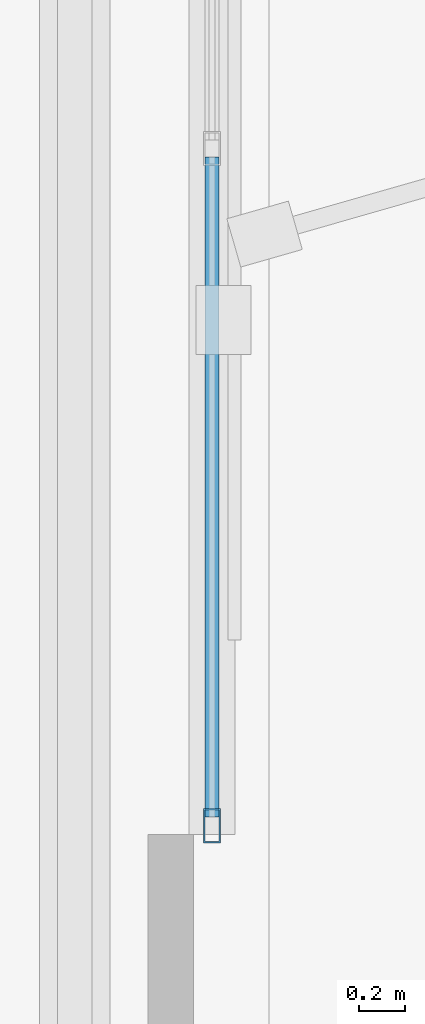
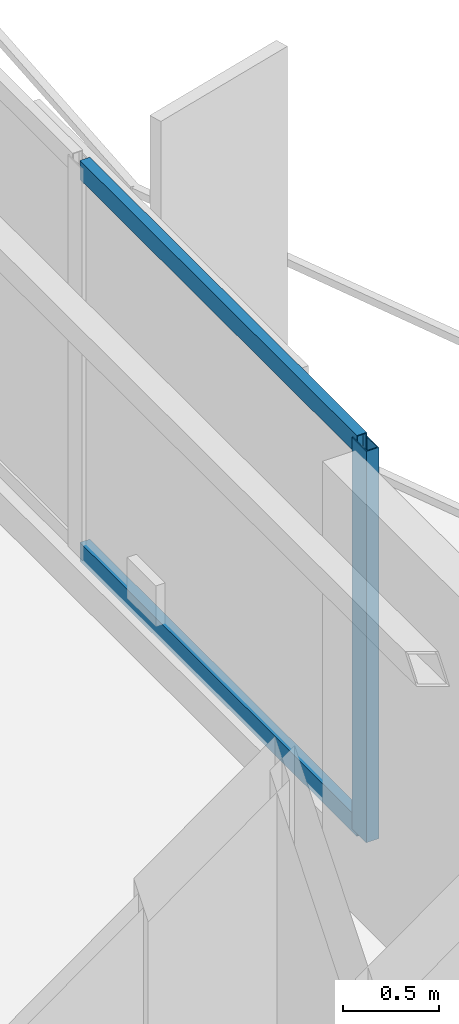
# One storey, part 6 of 22: 3 members, 1 element without a shape of its own.
"""IFC4 building model written with IfcOpenShell, lengths in metres."""

import ifcopenshell
import ifcopenshell.guid

model = None  # the IFC model being written
_history = None  # IfcOwnerHistory: only IFC2X3 demands one
_inside = {}  # id of a spatial element -> (the spatial element, [elements in it])
_under = {}  # id of a project, library or spatial element -> (it, [spatial elements below it])
_declared = {}  # id of a project -> (the project, [libraries it declares])
_typed = {}  # id of a type object -> (the type object, [elements of that type])
_made_of = {}  # id of a material, layer set ... -> (it, [elements and type objects made of it])


def new_model(schema):
    """Start an empty IFC model of exactly this schema.

    Asked for "IFC4X3", IfcOpenShell would pick the latest addendum, in which some entities
    have other attributes; the version numbers below select the first issue.
    IFC2X3 requires an IfcOwnerHistory on every rooted entity: one is made here for all.
    """
    global model, _history
    if schema == "IFC4X3":
        model = ifcopenshell.file(schema_version=(4, 3, 0, 0))
    else:
        model = ifcopenshell.file(schema=schema)
    _inside.clear()
    _under.clear()
    _declared.clear()
    _typed.clear()
    _made_of.clear()
    _history = None
    if model.schema == "IFC2X3":
        org = make("IfcOrganization", Name="unknown")
        user = make(
            "IfcPersonAndOrganization",
            ThePerson=make("IfcPerson", FamilyName="unknown"),
            TheOrganization=org,
        )
        app = make(
            "IfcApplication",
            ApplicationDeveloper=org,
            Version="unknown",
            ApplicationFullName="unknown",
            ApplicationIdentifier="unknown",
        )
        _history = make(
            "IfcOwnerHistory",
            OwningUser=user,
            OwningApplication=app,
            ChangeAction="ADDED",
            CreationDate=0,
        )
    return model


def make(cls, **values):
    """One entity of the class cls with the attributes given. An attribute that is None is left unset."""
    return model.create_entity(
        cls, **{name: value for name, value in values.items() if value is not None}
    )


def rooted(cls, **values):
    """An entity with a GlobalId (a new one), such as an element, a storey or a relation."""
    return make(cls, GlobalId=ifcopenshell.guid.new(), OwnerHistory=_history, **values)


def si_unit(unit_type, name, prefix=None):
    """IfcSIUnit, for example si_unit("LENGTHUNIT", "METRE", prefix="MILLI")."""
    return make("IfcSIUnit", UnitType=unit_type, Prefix=prefix, Name=name)


def assignment(units):
    """IfcUnitAssignment: the units of a project."""
    return None if units is None else make("IfcUnitAssignment", Units=units)


def point(xyz):
    """IfcCartesianPoint."""
    return None if xyz is None else make("IfcCartesianPoint", Coordinates=xyz)


def direction(xyz):
    """IfcDirection."""
    return None if xyz is None else make("IfcDirection", DirectionRatios=xyz)


def frame(location, z_axis=None, x_axis=None):
    """IfcAxis2Placement3D, a coordinate frame: its origin and axes. An axis left out is left unset."""
    return make(
        "IfcAxis2Placement3D",
        Location=point(location),
        Axis=direction(z_axis),
        RefDirection=direction(x_axis),
    )


def frame_2d(location, x_axis=None):
    """IfcAxis2Placement2D, a coordinate frame in the plane: its origin and x axis."""
    return make(
        "IfcAxis2Placement2D", Location=point(location), RefDirection=direction(x_axis)
    )


def origin():
    """The frame at (0, 0, 0) with its axes left unset."""
    return frame((0.0, 0.0, 0.0))


def origin_2d():
    """The frame at (0, 0) in the plane with its x axis left unset."""
    return frame_2d((0.0, 0.0))


def place(relative_to, where):
    """IfcLocalPlacement: puts the frame where relative to a parent placement (None: the world)."""
    return make(
        "IfcLocalPlacement", PlacementRelTo=relative_to, RelativePlacement=where
    )


def context(
    kind, dimensions, precision=None, world=None, true_north=None, identifier=None
):
    """IfcGeometricRepresentationContext, for example the 3D "Model" context."""
    return make(
        "IfcGeometricRepresentationContext",
        ContextIdentifier=identifier,
        ContextType=kind,
        CoordinateSpaceDimension=dimensions,
        Precision=precision,
        WorldCoordinateSystem=world,
        TrueNorth=true_north,
    )


def subcontext(parent, identifier, kind, view, scale=None):
    """IfcGeometricRepresentationSubContext, for example "Body" below "Model"."""
    return make(
        "IfcGeometricRepresentationSubContext",
        ContextIdentifier=identifier,
        ContextType=kind,
        ParentContext=parent,
        TargetScale=scale,
        TargetView=view,
    )


def project(units=None, contexts=None):
    """IfcProject with its units and contexts."""
    return rooted(
        "IfcProject",
        Name="project",
        RepresentationContexts=contexts,
        UnitsInContext=assignment(units),
    )


def spatial(cls, under=None, at=None, **own):
    """A site, building, storey or space (cls), placed at a placement, below another one or the project."""
    s = rooted(cls, ObjectPlacement=at, **own)
    if under is not None:
        _under.setdefault(under.id(), (under, []))[1].append(s)
    return s


def profile(cls, at=None, kind="AREA", **sizes):
    """A parametric profile (cls). Its sizes go by their IFC names, for example OverallWidth=200.0."""
    return make(cls, ProfileType=kind, Position=at, **sizes)


def hollow_rectangle(**sizes):
    """IfcRectangleHollowProfileDef."""
    return profile("IfcRectangleHollowProfileDef", **sizes)


def extrude(swept, where, along, depth):
    """IfcExtrudedAreaSolid: the profile swept, set in the frame where, extruded along a direction by depth."""
    return make(
        "IfcExtrudedAreaSolid",
        SweptArea=swept,
        Position=where,
        ExtrudedDirection=direction(along),
        Depth=depth,
    )


def shape(context_of_items, identifier, shape_type, items):
    """IfcShapeRepresentation: the items that make up one representation, for example the "Body"."""
    return make(
        "IfcShapeRepresentation",
        ContextOfItems=context_of_items,
        RepresentationIdentifier=identifier,
        RepresentationType=shape_type,
        Items=items,
    )


def material(Name=None, Category=None):
    """IfcMaterial."""
    return make("IfcMaterial", Name=Name, Category=Category)


def layer(
    of_material, thickness, ventilated=None, Name=None, Category=None, Priority=None
):
    """IfcMaterialLayer: one layer of a wall or slab, of a material (None: an air gap)."""
    return make(
        "IfcMaterialLayer",
        Material=of_material,
        LayerThickness=thickness,
        IsVentilated=ventilated,
        Name=Name,
        Category=Category,
        Priority=Priority,
    )


def layer_set(layers, Name=None):
    """IfcMaterialLayerSet."""
    return make("IfcMaterialLayerSet", MaterialLayers=layers, LayerSetName=Name)


def material_profile(
    of_material, cross_section, Name=None, Category=None, Priority=None
):
    """IfcMaterialProfile: a cross section and its material."""
    return make(
        "IfcMaterialProfile",
        Name=Name,
        Material=of_material,
        Profile=cross_section,
        Priority=Priority,
        Category=Category,
    )


def profile_set(profiles, Name=None, composite=None):
    """IfcMaterialProfileSet."""
    return make(
        "IfcMaterialProfileSet",
        Name=Name,
        MaterialProfiles=profiles,
        CompositeProfile=composite,
    )


def made_of(thing, what):
    """Note that an element or type object is made of a material, layer set ...; save() writes the relation."""
    if what is not None:
        _made_of.setdefault(what.id(), (what, []))[1].append(thing)
    return thing


def type_object(cls, material=None, **own):
    """A type object (cls), such as IfcWallType, which elements share."""
    return made_of(rooted(cls, **own), material)


def element(
    cls,
    number,
    at=None,
    inside=None,
    cuts=None,
    type_object=None,
    material=None,
    context=None,
    identifier="Body",
    shape_type=None,
    held_by="IfcProductDefinitionShape",
    body=None,
    shapes=None,
    **own,
):
    """One element of the class cls, such as IfcWall. Its Tag is "e" and its number.

    at: its placement. inside: the storey or other place that contains it. cuts: it is an
    opening in that element (IfcRelVoidsElement). A single representation is given by context,
    identifier, shape_type and body (its items); several are given by shapes. held_by: the class
    of the entity that holds the representations. save() writes the other relations.
    """
    e = rooted(cls, Tag="e%d" % number, ObjectPlacement=at, **own)
    if body is not None:
        shapes = [shape(context, identifier, shape_type, body)]
    if shapes is not None:
        e.Representation = make(held_by, Representations=shapes)
    if inside is not None:
        _inside.setdefault(inside.id(), (inside, []))[1].append(e)
    if cuts is not None:
        rooted(
            "IfcRelVoidsElement", RelatingBuildingElement=cuts, RelatedOpeningElement=e
        )
    if type_object is not None:
        _typed.setdefault(type_object.id(), (type_object, []))[1].append(e)
    return made_of(e, material)


def aggregate(whole, parts):
    """IfcRelAggregates: a whole, such as a stair, and the parts it consists of."""
    return rooted("IfcRelAggregates", RelatingObject=whole, RelatedObjects=parts)


def save(model, path):
    """Write the relations noted so far, then the file.

    IfcRelAggregates (storeys below a building ...), IfcRelContainedInSpatialStructure (elements
    in a storey), IfcRelDefinesByType, IfcRelAssociatesMaterial and IfcRelDeclares: one each for
    every whole, place, type object, material and project.
    """
    for whole, parts in _under.values():
        aggregate(whole, parts)
    for where, things in _inside.values():
        rooted(
            "IfcRelContainedInSpatialStructure",
            RelatedElements=things,
            RelatingStructure=where,
        )
    for kind, things in _typed.values():
        rooted("IfcRelDefinesByType", RelatedObjects=things, RelatingType=kind)
    for what, things in _made_of.values():
        rooted("IfcRelAssociatesMaterial", RelatedObjects=things, RelatingMaterial=what)
    for by, libraries in _declared.values():
        rooted("IfcRelDeclares", RelatingContext=by, RelatedDefinitions=libraries)
    model.write(path)


model = new_model("IFC4")

# Units and contexts
model_context = context("Model", 3, precision=1e-05, world=origin(), true_north=direction((0.0, 1.0)))
body_context = subcontext(model_context, "Body", "Model", "MODEL_VIEW")
ifc_project = project(units=[si_unit("LENGTHUNIT", "METRE"), si_unit("AREAUNIT", "SQUARE_METRE"), si_unit("VOLUMEUNIT", "CUBIC_METRE"), si_unit("PLANEANGLEUNIT", "RADIAN"), si_unit("MASSUNIT", "GRAM", prefix="KILO")], contexts=[model_context])

# Site, building, storey
site_placement = place(None, origin())
site = spatial("IfcSite", under=ifc_project, at=site_placement, CompositionType="ELEMENT")
building_placement = place(site_placement, origin())
building = spatial("IfcBuilding", under=site, at=building_placement, Name="Mersakhor Tower and Convention Hall", CompositionType="ELEMENT")
storey_placement = place(building_placement, frame((0.0, 0.0, 192.0)))
storey = spatial("IfcBuildingStorey", under=building, at=storey_placement, Name="L53", CompositionType="ELEMENT", Elevation=192.0)

# Curtain wall, members
ifc_material_1 = material(Name="Dark solar low-E aluminium curtain wall", Category="aluminium")
ifc_layer = layer(ifc_material_1, 0.169921875)
ifc_layer_set = layer_set([ifc_layer], Name="Dark solar low-E aluminium curtain wall")
curtain_wall_type = type_object("IfcCurtainWallType", Name="CW-SYS-02", PredefinedType="USERDEFINED", material=ifc_layer_set)
curtain_wall_placement = place(storey_placement, origin())
curtain_wall = element("IfcCurtainWall", 1, at=curtain_wall_placement, inside=storey, type_object=curtain_wall_type, Name="L53 Dark-Glass Curtain Wall F2-B2", ObjectType="CURTAIN WALL", PredefinedType="USERDEFINED")
ifc_material_2 = material(Name="Anodised aluminium EN AW-6063 T6", Category="aluminium")
ifc_material_profile_1 = material_profile(ifc_material_2, hollow_rectangle(XDim=0.074951171875, YDim=0.14990234375, WallThickness=0.00634765625, at=origin_2d()), Name="RHS 150x75x6.3")
ifc_profile_set_1 = profile_set([ifc_material_profile_1], Name="Anodised aluminium EN AW-6063 T6")
member_type_1 = type_object("IfcMemberType", Name="CWM-150x75", PredefinedType="MULLION", material=ifc_profile_set_1)
member_1_placement = place(storey_placement, frame((40.58837890625, 22.2880859375, 0.199951171875), z_axis=(0.0, 0.0, 1.0), x_axis=(1.0, 0.0, 0.0)))
member_1 = element("IfcMember", 2, at=member_1_placement, type_object=member_type_1, Name="CW-02 mullion 4", PredefinedType="MULLION", context=body_context, shape_type="SweptSolid", body=[
    extrude(hollow_rectangle(XDim=0.074951171875, YDim=0.14990234375, WallThickness=0.00634765625, at=origin_2d()), origin(), (0.0, 0.0, 1.0), 2.489990234375),
])
ifc_material_3 = material(Name="Anodised aluminium EN AW-6063 T6", Category="aluminium")
ifc_material_profile_2 = material_profile(ifc_material_3, hollow_rectangle(XDim=0.06005859375, YDim=0.1201171875, WallThickness=0.0048828125, at=origin_2d()), Name="RHS 120x60x5")
ifc_profile_set_2 = profile_set([ifc_material_profile_2], Name="Anodised aluminium EN AW-6063 T6")
member_type_2 = type_object("IfcMemberType", Name="CWT-120x60", PredefinedType="USERDEFINED", material=ifc_profile_set_2)
member_2_placement = place(storey_placement, frame((40.58837890625, 25.212646484375, 0.22998046875), z_axis=(0.0, -1.0, 0.0), x_axis=(1.0, 0.0, 0.0)))
member_2 = element("IfcMember", 3, at=member_2_placement, type_object=member_type_2, Name="CW-02 transom 3.1", ObjectType="TRANSOM", PredefinedType="USERDEFINED", context=body_context, shape_type="SweptSolid", body=[
    extrude(hollow_rectangle(XDim=0.06005859375, YDim=0.1201171875, WallThickness=0.0048828125, at=origin_2d()), origin(), (0.0, 0.0, 1.0), 2.88720703125),
])
member_3_placement = place(storey_placement, frame((40.58837890625, 25.212646484375, 2.659912109375), z_axis=(0.0, -1.0, 0.0), x_axis=(1.0, 0.0, 0.0)))
member_3 = element("IfcMember", 4, at=member_3_placement, type_object=member_type_2, Name="CW-02 transom 3.2", ObjectType="TRANSOM", PredefinedType="USERDEFINED", context=body_context, shape_type="SweptSolid", body=[
    extrude(hollow_rectangle(XDim=0.06005859375, YDim=0.1201171875, WallThickness=0.0048828125, at=origin_2d()), origin(), (0.0, 0.0, 1.0), 2.88720703125),
])
aggregate(curtain_wall, [member_1, member_2, member_3])

save(model, "model.ifc")
